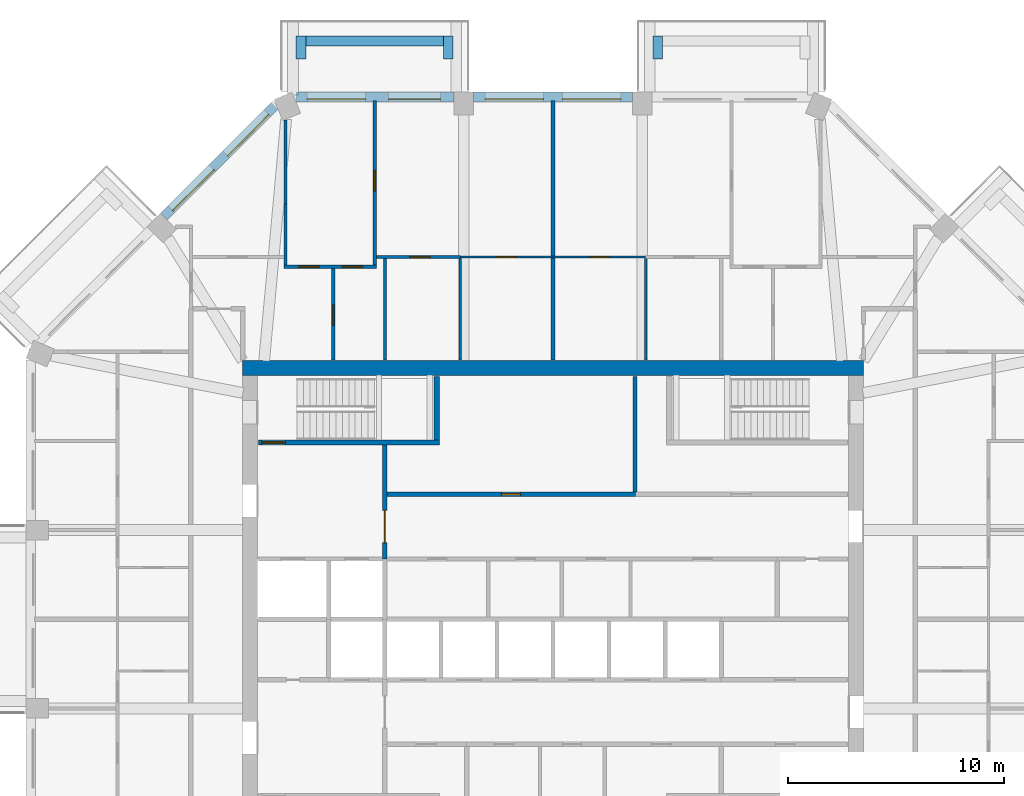
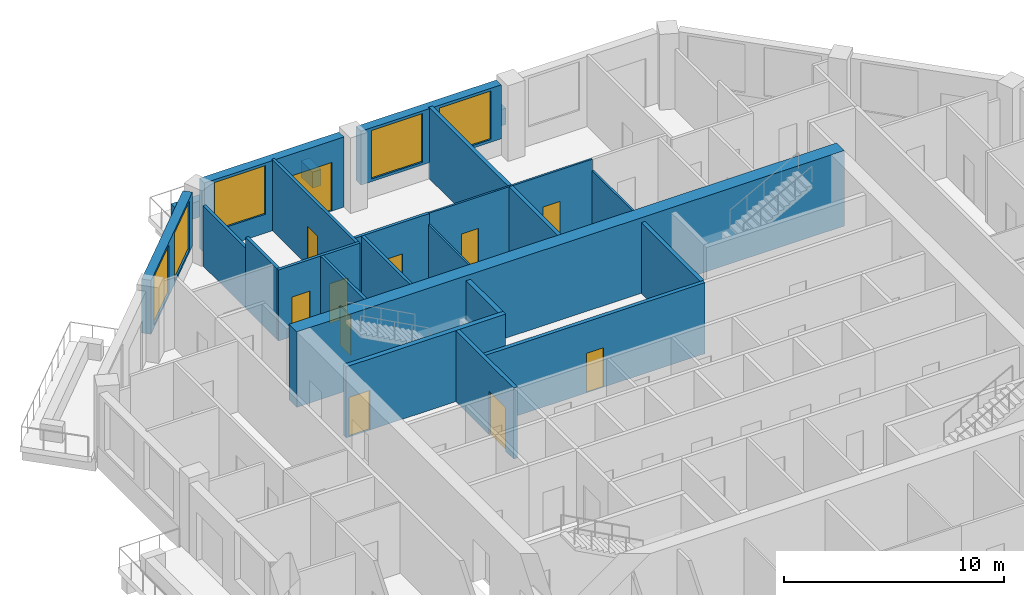
# One storey, part 8 of 12: 25 walls, 11 doors, 5 windows, 16 openings.
"""IFC4 building model written with IfcOpenShell, lengths in metres."""

from ifc_helpers import new_model, si_unit, direction, frame, frame_2d, origin, place, context, subcontext, project, spatial, rectangle, extrude, material, layer, layer_set, type_object, element, fill, save


model = new_model("IFC4")

# Units and contexts
model_context = context("Model", 3, precision=1e-05, world=origin(), true_north=direction((0.0, 1.0)))
body_context = subcontext(model_context, "Body", "Model", "MODEL_VIEW")
ifc_project = project(units=[si_unit("LENGTHUNIT", "METRE"), si_unit("AREAUNIT", "SQUARE_METRE"), si_unit("VOLUMEUNIT", "CUBIC_METRE"), si_unit("PLANEANGLEUNIT", "RADIAN"), si_unit("MASSUNIT", "GRAM", prefix="KILO")], contexts=[model_context])

# Site, building, storey
site_placement = place(None, origin())
site = spatial("IfcSite", under=ifc_project, at=site_placement, CompositionType="ELEMENT")
building_placement = place(site_placement, origin())
building = spatial("IfcBuilding", under=site, at=building_placement, Name="Msitu Wima Residences", CompositionType="ELEMENT")
storey_placement = place(building_placement, frame((0.0, 0.0, 174.89990234375)))
storey = spatial("IfcBuildingStorey", under=building, at=storey_placement, Name="L40", CompositionType="ELEMENT", Elevation=174.89990234375)

# Walls
ifc_material_1 = material(Name="Facing brick")
ifc_layer_1 = layer(ifc_material_1, 0.06494140625, Name="Facing brick")
ifc_material_2 = material(Name="Concrete C40/50", Category="concrete")
ifc_layer_2 = layer(ifc_material_2, 0.156005859375, Name="Concrete C40/50")
ifc_material_3 = material(Name="Waterproofing membrane")
ifc_layer_3 = layer(ifc_material_3, 0.00390625, Name="Waterproofing membrane")
ifc_material_4 = material(Name="Planting soil and planting")
ifc_layer_4 = layer(ifc_material_4, 0.22509765625, Name="Planting soil and planting")
ifc_layer_set_1 = layer_set([ifc_layer_1, ifc_layer_2, ifc_layer_3, ifc_layer_4], Name="Concrete C40/50")
wall_type_1 = type_object("IfcWallType", Name="Balcony planter PLANTER PL450", PredefinedType="USERDEFINED", material=ifc_layer_set_1)
wall_1_placement = place(storey_placement, frame((4.8623046875, 26.0, 0.0), z_axis=(0.0, 0.0, 1.0), x_axis=(0.0, 1.0, 0.0)))
element("IfcWall", 1, at=wall_1_placement, inside=storey, type_object=wall_type_1, Name="Balcony planter N0 L40", ObjectType="PLANTER", PredefinedType="USERDEFINED", context=body_context, shape_type="SweptSolid", body=[
    extrude(rectangle(XDim=1.050048828125, YDim=0.449951171875, at=frame_2d((0.52490234375, 0.0))), origin(), (0.0, 0.0, 1.0), 0.900146484375),
])
wall_2_placement = place(storey_placement, frame((-5.087158203125, 26.824951171875, 0.0), z_axis=(0.0, 0.0, 1.0), x_axis=(-1.0, 0.0, 0.0)))
element("IfcWall", 2, at=wall_2_placement, inside=storey, type_object=wall_type_1, Name="Balcony planter N2 L40", ObjectType="PLANTER", PredefinedType="USERDEFINED", context=body_context, shape_type="SweptSolid", body=[
    extrude(rectangle(XDim=6.37451171875, YDim=0.449951171875, at=frame_2d((3.187255859375, 0.0))), origin(), (0.0, 0.0, 1.0), 0.900146484375),
])
for number, where, z_axis, x_axis, name in (
    (3, (-4.8623046875, 26.0, 0.0), (0.0, 0.0, 1.0), (0.0, 1.0, 0.0), "Balcony planter N2 L40"),
    (4, (-11.686767578125, 26.0, 0.0), (0.0, 0.0, 1.0), (0.0, 1.0, 0.0), "Balcony planter N2 L40"),
):
    element("IfcWall", number, at=place(storey_placement, frame(where, z_axis=z_axis, x_axis=x_axis)), inside=storey, type_object=wall_type_1, Name=name, ObjectType="PLANTER", PredefinedType="USERDEFINED", context=body_context, shape_type="SweptSolid", body=[
        extrude(rectangle(XDim=1.050048828125, YDim=0.449951171875, at=frame_2d((0.52490234375, 0.0))), origin(), (0.0, 0.0, 1.0), 0.900146484375),
    ])

# Wall, openings, windows
ifc_material_5 = material(Name="Brick (red buff mix)", Category="masonry")
ifc_layer_5 = layer(ifc_material_5, 0.449951171875)
ifc_layer_set_2 = layer_set([ifc_layer_5], Name="Brick (red buff mix)")
wall_type_2 = type_object("IfcWallType", Name="Brick infill wall BW450", PredefinedType="SOLIDWALL", material=ifc_layer_set_2)
wall_3_placement = place(storey_placement, frame((3.687255859375, 24.22509765625, 0.900146484375), z_axis=(0.0, 0.0, 1.0), x_axis=(-1.0, 0.0, 0.0)))
wall_3 = element("IfcWall", 5, at=wall_3_placement, inside=storey, type_object=wall_type_2, Name="Brick infill wall L40 N1", PredefinedType="SOLIDWALL", context=body_context, shape_type="SweptSolid", body=[
    extrude(rectangle(XDim=7.37451171875, YDim=0.449951171875, at=frame_2d((3.687255859375, 0.0))), origin(), (0.0, 0.0, 1.0), 3.0),
])
opening_1_placement = place(wall_3_placement, frame((0.537353515625, 0.0, 0.14990234375)))
opening_1 = element("IfcOpeningElement", 6, at=opening_1_placement, cuts=wall_3, Name="Opening W40-42.007", PredefinedType="OPENING", context=body_context, shape_type="SweptSolid", body=[
    extrude(rectangle(XDim=2.699951171875, YDim=2.699951171875, at=frame_2d((1.35009765625, 1.35009765625))), frame((0.0, 0.23486328125, 0.0), z_axis=(0.0, -1.0, 0.0), x_axis=(1.0, 0.0, 0.0)), (0.0, 0.0, 1.0), 0.469970703125),
])
opening_2_placement = place(wall_3_placement, frame((4.13720703125, 0.0, 0.14990234375)))
opening_2 = element("IfcOpeningElement", 7, at=opening_2_placement, cuts=wall_3, Name="Opening W40-42.008", PredefinedType="OPENING", context=body_context, shape_type="SweptSolid", body=[
    extrude(rectangle(XDim=2.699951171875, YDim=2.699951171875, at=frame_2d((1.35009765625, 1.35009765625))), frame((0.0, 0.23486328125, 0.0), z_axis=(0.0, -1.0, 0.0), x_axis=(1.0, 0.0, 0.0)), (0.0, 0.0, 1.0), 0.469970703125),
])
ifc_material_6 = material(Name="Anodised aluminium, bronze finish, clear low-emissivity double glazing", Category="aluminium")
window_type = type_object("IfcWindowType", Name="Window W2700x2700", PartitioningType="DOUBLE_PANEL_VERTICAL", PredefinedType="WINDOW", material=ifc_material_6)
window_1_placement = place(opening_1_placement, origin())
window_1 = element("IfcWindow", 8, at=window_1_placement, inside=storey, type_object=window_type, Name="Window L40 N1.1", OverallHeight=2.699951171875, OverallWidth=2.699951171875, PartitioningType="SINGLE_PANEL", PredefinedType="WINDOW", context=body_context, shape_type="SweptSolid", body=[
    extrude(rectangle(XDim=2.699951171875, YDim=2.699951171875, at=frame_2d((1.35009765625, 1.35009765625))), frame((0.0, 0.135009765625, 0.0), z_axis=(0.0, -1.0, 0.0), x_axis=(1.0, 0.0, 0.0)), (0.0, 0.0, 1.0), 0.06005859375),
])
fill(opening_1, window_1)
window_2_placement = place(opening_2_placement, origin())
window_2 = element("IfcWindow", 9, at=window_2_placement, inside=storey, type_object=window_type, Name="Window L40 N1.2", OverallHeight=2.699951171875, OverallWidth=2.699951171875, PartitioningType="SINGLE_PANEL", PredefinedType="WINDOW", context=body_context, shape_type="SweptSolid", body=[
    extrude(rectangle(XDim=2.699951171875, YDim=2.699951171875, at=frame_2d((1.35009765625, 1.35009765625))), frame((0.0, 0.135009765625, 0.0), z_axis=(0.0, -1.0, 0.0), x_axis=(1.0, 0.0, 0.0)), (0.0, 0.0, 1.0), 0.06005859375),
])
fill(opening_2, window_2)

# Wall, openings, door, window
wall_4_placement = place(storey_placement, frame((-4.587158203125, 24.22509765625, 0.0), z_axis=(0.0, 0.0, 1.0), x_axis=(-1.0, 0.0, 0.0)))
wall_4 = element("IfcWall", 10, at=wall_4_placement, inside=storey, type_object=wall_type_2, Name="Brick infill wall L40 N2", PredefinedType="SOLIDWALL", context=body_context, shape_type="SweptSolid", body=[
    extrude(rectangle(XDim=7.337646484375, YDim=0.449951171875, at=frame_2d((3.6689453125, 0.0))), origin(), (0.0, 0.0, 1.0), 3.900146484375),
])
opening_3_placement = place(wall_4_placement, frame((0.63427734375, 0.0, 0.0)))
opening_3 = element("IfcOpeningElement", 11, at=opening_3_placement, cuts=wall_4, Name="Opening D40-42.003", PredefinedType="OPENING", context=body_context, shape_type="SweptSolid", body=[
    extrude(rectangle(XDim=2.39990234375, YDim=2.699951171875, at=frame_2d((1.199951171875, 1.35009765625))), frame((0.0, 0.23486328125, 0.0), z_axis=(0.0, -1.0, 0.0), x_axis=(1.0, 0.0, 0.0)), (0.0, 0.0, 1.0), 0.469970703125),
])
opening_4_placement = place(wall_4_placement, frame((4.11865234375, 0.0, 1.050048828125)))
opening_4 = element("IfcOpeningElement", 12, at=opening_4_placement, cuts=wall_4, Name="Opening W40-42.009", PredefinedType="OPENING", context=body_context, shape_type="SweptSolid", body=[
    extrude(rectangle(XDim=2.699951171875, YDim=2.699951171875, at=frame_2d((1.35009765625, 1.35009765625))), frame((0.0, 0.23486328125, 0.0), z_axis=(0.0, -1.0, 0.0), x_axis=(1.0, 0.0, 0.0)), (0.0, 0.0, 1.0), 0.469970703125),
])
door_type_1 = type_object("IfcDoorType", Name="Balcony door D2400x2700", OperationType="SLIDING_TO_LEFT", PredefinedType="DOOR", material=ifc_material_6)
door_1_placement = place(opening_3_placement, origin())
door_1 = element("IfcDoor", 13, at=door_1_placement, inside=storey, type_object=door_type_1, Name="Balcony door L40 N2", OperationType="SINGLE_SWING_LEFT", OverallHeight=2.699951171875, OverallWidth=2.39990234375, PredefinedType="DOOR", context=body_context, shape_type="SweptSolid", body=[
    extrude(rectangle(XDim=2.39990234375, YDim=2.699951171875, at=frame_2d((1.199951171875, 1.35009765625))), frame((0.0, 0.1298828125, 0.0), z_axis=(0.0, -1.0, 0.0), x_axis=(1.0, 0.0, 0.0)), (0.0, 0.0, 1.0), 0.050048828125),
])
fill(opening_3, door_1)
window_3_placement = place(opening_4_placement, origin())
window_3 = element("IfcWindow", 14, at=window_3_placement, inside=storey, type_object=window_type, Name="Window L40 N2.2", OverallHeight=2.699951171875, OverallWidth=2.699951171875, PartitioningType="SINGLE_PANEL", PredefinedType="WINDOW", context=body_context, shape_type="SweptSolid", body=[
    extrude(rectangle(XDim=2.699951171875, YDim=2.699951171875, at=frame_2d((1.35009765625, 1.35009765625))), frame((0.0, 0.135009765625, 0.0), z_axis=(0.0, -1.0, 0.0), x_axis=(1.0, 0.0, 0.0)), (0.0, 0.0, 1.0), 0.06005859375),
])
fill(opening_4, window_3)

# Wall, openings, windows
wall_5_placement = place(storey_placement, frame((-12.915283203125, 23.814697265625, 0.900146484375), z_axis=(0.0, 0.0, 1.0), x_axis=(-0.707106781187, -0.707106781187, 0.0)))
wall_5 = element("IfcWall", 15, at=wall_5_placement, inside=storey, type_object=wall_type_2, Name="Brick infill wall L40 NW0", PredefinedType="SOLIDWALL", context=body_context, shape_type="SweptSolid", body=[
    extrude(rectangle(XDim=7.257080078125, YDim=0.449951171875, at=frame_2d((3.62841796875, 0.0))), origin(), (0.0, 0.0, 1.0), 3.0),
])
opening_5_placement = place(wall_5_placement, frame((0.478515625, 0.0, 0.14990234375)))
opening_5 = element("IfcOpeningElement", 16, at=opening_5_placement, cuts=wall_5, Name="Opening W40-42.013", PredefinedType="OPENING", context=body_context, shape_type="SweptSolid", body=[
    extrude(rectangle(XDim=2.699951171875, YDim=2.699951171875, at=frame_2d((1.35009765625, 1.35009765625))), frame((0.0, 0.23486328125, 0.0), z_axis=(0.0, -1.0, 0.0), x_axis=(1.0, 0.0, 0.0)), (0.0, 0.0, 1.0), 0.469970703125),
])
opening_6_placement = place(wall_5_placement, frame((4.07861328125, 0.0, 0.14990234375)))
opening_6 = element("IfcOpeningElement", 17, at=opening_6_placement, cuts=wall_5, Name="Opening W40-42.014", PredefinedType="OPENING", context=body_context, shape_type="SweptSolid", body=[
    extrude(rectangle(XDim=2.699951171875, YDim=2.699951171875, at=frame_2d((1.35009765625, 1.35009765625))), frame((0.0, 0.23486328125, 0.0), z_axis=(0.0, -1.0, 0.0), x_axis=(1.0, 0.0, 0.0)), (0.0, 0.0, 1.0), 0.469970703125),
])
window_4_placement = place(opening_5_placement, origin())
window_4 = element("IfcWindow", 18, at=window_4_placement, inside=storey, type_object=window_type, Name="Window L40 NW0.1", OverallHeight=2.699951171875, OverallWidth=2.699951171875, PartitioningType="SINGLE_PANEL", PredefinedType="WINDOW", context=body_context, shape_type="SweptSolid", body=[
    extrude(rectangle(XDim=2.699951171875, YDim=2.699951171875, at=frame_2d((1.35009765625, 1.35009765625))), frame((0.0, 0.135009765625, 0.0), z_axis=(0.0, -1.0, 0.0), x_axis=(1.0, 0.0, 0.0)), (0.0, 0.0, 1.0), 0.06005859375),
])
fill(opening_5, window_4)
window_5_placement = place(opening_6_placement, origin())
window_5 = element("IfcWindow", 19, at=window_5_placement, inside=storey, type_object=window_type, Name="Window L40 NW0.2", OverallHeight=2.699951171875, OverallWidth=2.699951171875, PartitioningType="SINGLE_PANEL", PredefinedType="WINDOW", context=body_context, shape_type="SweptSolid", body=[
    extrude(rectangle(XDim=2.699951171875, YDim=2.699951171875, at=frame_2d((1.35009765625, 1.35009765625))), frame((0.0, 0.135009765625, 0.0), z_axis=(0.0, -1.0, 0.0), x_axis=(1.0, 0.0, 0.0)), (0.0, 0.0, 1.0), 0.06005859375),
])
fill(opening_6, window_5)

# Wall
ifc_material_7 = material(Name="Concrete C60/75", Category="concrete")
ifc_layer_6 = layer(ifc_material_7, 0.699951171875)
ifc_layer_set_3 = layer_set([ifc_layer_6], Name="Concrete C60/75")
wall_type_3 = type_object("IfcWallType", Name="Core wall CW700 C60/75", PredefinedType="SHEAR", material=ifc_layer_set_3)
wall_6_placement = place(storey_placement, frame((-14.39990234375, 11.64990234375, 0.0), z_axis=(0.0, 0.0, 1.0), x_axis=(1.0, 0.0, 0.0)))
element("IfcWall", 20, at=wall_6_placement, inside=storey, type_object=wall_type_3, Name="Core wall", PredefinedType="SHEAR", context=body_context, shape_type="SweptSolid", body=[
    extrude(rectangle(XDim=28.7998046875, YDim=0.699951171875, at=frame_2d((14.39990234375, 0.0))), origin(), (0.0, 0.0, 1.0), 4.2001953125),
])

# Wall, opening, door
ifc_material_8 = material(Name="Plaster")
ifc_layer_7 = layer(ifc_material_8, 0.011962890625, Name="Plaster")
ifc_material_9 = material(Name="Concrete blockwork", Category="masonry")
ifc_layer_8 = layer(ifc_material_9, 0.176025390625, Name="Concrete blockwork")
ifc_layer_9 = layer(ifc_material_8, 0.011962890625, Name="Plaster")
ifc_layer_set_4 = layer_set([ifc_layer_7, ifc_layer_8, ifc_layer_9], Name="Concrete blockwork")
wall_type_4 = type_object("IfcWallType", Name="Corridor wall FW200", PredefinedType="PARTITIONING", material=ifc_layer_set_4)
wall_7_placement = place(storey_placement, frame((-7.800048828125, 2.800048828125, 0.0), z_axis=(0.0, 0.0, 1.0), x_axis=(0.0, 1.0, 0.0)))
wall_7 = element("IfcWall", 21, at=wall_7_placement, inside=storey, type_object=wall_type_4, Name="Corridor wall", PredefinedType="PARTITIONING", context=body_context, shape_type="SweptSolid", body=[
    extrude(rectangle(XDim=5.27490234375, YDim=0.199951171875, at=frame_2d((2.637451171875, 0.0))), origin(), (0.0, 0.0, 1.0), 3.9501953125),
])
opening_7_placement = place(wall_7_placement, frame((0.75, 0.0, 0.0)))
opening_7 = element("IfcOpeningElement", 22, at=opening_7_placement, cuts=wall_7, Name="Opening D40-42.069", PredefinedType="OPENING", context=body_context, shape_type="SweptSolid", body=[
    extrude(rectangle(XDim=1.5, YDim=2.39990234375, at=frame_2d((0.75, 1.199951171875))), frame((0.0, 0.10986328125, 0.0), z_axis=(0.0, -1.0, 0.0), x_axis=(1.0, 0.0, 0.0)), (0.0, 0.0, 1.0), 0.219970703125),
])
ifc_material_10 = material(Name="Steel framed glazed door, fire resisting", Category="steel")
door_type_2 = type_object("IfcDoorType", Name="Lobby door D07 1500x2400", OperationType="DOUBLE_DOOR_SINGLE_SWING", PredefinedType="DOOR", material=ifc_material_10)
door_2_placement = place(opening_7_placement, origin())
door_2 = element("IfcDoor", 23, at=door_2_placement, inside=storey, type_object=door_type_2, Name="Lobby door", OperationType="DOUBLE_DOOR_SINGLE_SWING", OverallHeight=2.39990234375, OverallWidth=1.5, PredefinedType="DOOR", context=body_context, shape_type="SweptSolid", body=[
    extrude(rectangle(XDim=1.5, YDim=2.39990234375, at=frame_2d((0.75, 1.199951171875))), frame((0.0, 0.02490234375, 0.0), z_axis=(0.0, -1.0, 0.0), x_axis=(1.0, 0.0, 0.0)), (0.0, 0.0, 1.0), 0.050048828125),
])
fill(opening_7, door_2)

wall_8_placement = place(storey_placement, frame((-7.699951171875, 5.800048828125, 0.0), z_axis=(0.0, 0.0, 1.0), x_axis=(1.0, 0.0, 0.0)))
wall_8 = element("IfcWall", 24, at=wall_8_placement, inside=storey, type_object=wall_type_4, Name="Corridor wall", PredefinedType="PARTITIONING", context=body_context, shape_type="SweptSolid", body=[
    extrude(rectangle(XDim=11.52001953125, YDim=0.199951171875, at=frame_2d((5.760009765625, 0.0))), origin(), (0.0, 0.0, 1.0), 3.9501953125),
])
opening_8_placement = place(wall_8_placement, frame((5.300048828125, 0.0, 0.0)))
opening_8 = element("IfcOpeningElement", 25, at=opening_8_placement, cuts=wall_8, Name="Opening D40-42.072", PredefinedType="OPENING", context=body_context, shape_type="SweptSolid", body=[
    extrude(rectangle(XDim=0.89990234375, YDim=2.199951171875, at=frame_2d((0.449951171875, 1.10009765625))), frame((0.0, 0.10986328125, 0.0), z_axis=(0.0, -1.0, 0.0), x_axis=(1.0, 0.0, 0.0)), (0.0, 0.0, 1.0), 0.219970703125),
])
ifc_material_11 = material(Name="Timber flush door", Category="wood")
door_type_3 = type_object("IfcDoorType", Name="Service door D05 900x2200", OperationType="SINGLE_SWING_LEFT", PredefinedType="DOOR", material=ifc_material_11)
door_3_placement = place(opening_8_placement, origin())
door_3 = element("IfcDoor", 26, at=door_3_placement, inside=storey, type_object=door_type_3, Name="Service door", OperationType="SINGLE_SWING_LEFT", OverallHeight=2.199951171875, OverallWidth=0.89990234375, PredefinedType="DOOR", context=body_context, shape_type="SweptSolid", body=[
    extrude(rectangle(XDim=0.89990234375, YDim=2.199951171875, at=frame_2d((0.449951171875, 1.10009765625))), frame((0.0, 0.02490234375, 0.0), z_axis=(0.0, -1.0, 0.0), x_axis=(1.0, 0.0, 0.0)), (0.0, 0.0, 1.0), 0.050048828125),
])
fill(opening_8, door_3)

# Walls
ifc_layer_10 = layer(ifc_material_8, 0.011962890625, Name="Plaster")
ifc_layer_11 = layer(ifc_material_9, 0.1259765625, Name="Concrete blockwork")
ifc_layer_12 = layer(ifc_material_8, 0.011962890625, Name="Plaster")
ifc_layer_set_5 = layer_set([ifc_layer_10, ifc_layer_11, ifc_layer_12], Name="Concrete blockwork")
wall_type_5 = type_object("IfcWallType", Name="Partition PW150", PredefinedType="PARTITIONING", material=ifc_layer_set_5)
wall_9_placement = place(storey_placement, frame((-12.411865234375, 16.425048828125, 0.0), z_axis=(0.0, 0.0, 1.0), x_axis=(0.0, 1.0, 0.0)))
element("IfcWall", 27, at=wall_9_placement, inside=storey, type_object=wall_type_5, Name="Partition", PredefinedType="PARTITIONING", context=body_context, shape_type="SweptSolid", body=[
    extrude(rectangle(XDim=2.845458984375, YDim=0.14990234375, at=frame_2d((1.4228515625, 0.0))), origin(), (0.0, 0.0, 1.0), 3.9501953125),
])
wall_10_placement = place(storey_placement, frame((-12.411865234375, 19.2705078125, 0.0), z_axis=(0.0, 0.0, 1.0), x_axis=(0.0, 1.0, 0.0)))
element("IfcWall", 28, at=wall_10_placement, inside=storey, type_object=wall_type_5, Name="Partition", PredefinedType="PARTITIONING", context=body_context, shape_type="SweptSolid", body=[
    extrude(rectangle(XDim=3.8984375, YDim=0.14990234375, at=frame_2d((1.94921875, 0.0))), origin(), (0.0, 0.0, 1.0), 3.35009765625),
])

# Wall, openings, doors
wall_11_placement = place(storey_placement, frame((-12.48681640625, 16.35009765625, 0.0), z_axis=(0.0, 0.0, 1.0), x_axis=(1.0, 0.0, 0.0)))
wall_11 = element("IfcWall", 29, at=wall_11_placement, inside=storey, type_object=wall_type_5, Name="Partition", PredefinedType="PARTITIONING", context=body_context, shape_type="SweptSolid", body=[
    extrude(rectangle(XDim=4.287353515625, YDim=0.14990234375, at=frame_2d((2.1435546875, 0.0))), origin(), (0.0, 0.0, 1.0), 3.9501953125),
])
opening_9_placement = place(wall_11_placement, frame((0.699951171875, 0.0, 0.0)))
opening_9 = element("IfcOpeningElement", 30, at=opening_9_placement, cuts=wall_11, Name="Opening D40-42.031", PredefinedType="OPENING", context=body_context, shape_type="SweptSolid", body=[
    extrude(rectangle(XDim=0.949951171875, YDim=2.199951171875, at=frame_2d((0.47509765625, 1.10009765625))), frame((0.0, 0.0849609375, 0.0), z_axis=(0.0, -1.0, 0.0), x_axis=(1.0, 0.0, 0.0)), (0.0, 0.0, 1.0), 0.169921875),
])
opening_10_placement = place(wall_11_placement, frame((2.699951171875, 0.0, 0.0)))
opening_10 = element("IfcOpeningElement", 31, at=opening_10_placement, cuts=wall_11, Name="Opening D40-42.030", PredefinedType="OPENING", context=body_context, shape_type="SweptSolid", body=[
    extrude(rectangle(XDim=0.949951171875, YDim=2.199951171875, at=frame_2d((0.47509765625, 1.10009765625))), frame((0.0, 0.0849609375, 0.0), z_axis=(0.0, -1.0, 0.0), x_axis=(1.0, 0.0, 0.0)), (0.0, 0.0, 1.0), 0.169921875),
])
door_type_4 = type_object("IfcDoorType", Name="Room door D12 950x2200", OperationType="SINGLE_SWING_LEFT", PredefinedType="DOOR", material=ifc_material_11)
door_4_placement = place(opening_9_placement, origin())
door_4 = element("IfcDoor", 32, at=door_4_placement, inside=storey, type_object=door_type_4, Name="Room door", OperationType="SINGLE_SWING_LEFT", OverallHeight=2.199951171875, OverallWidth=0.949951171875, PredefinedType="DOOR", context=body_context, shape_type="SweptSolid", body=[
    extrude(rectangle(XDim=0.949951171875, YDim=2.199951171875, at=frame_2d((0.47509765625, 1.10009765625))), frame((0.0, 0.02490234375, 0.0), z_axis=(0.0, -1.0, 0.0), x_axis=(1.0, 0.0, 0.0)), (0.0, 0.0, 1.0), 0.050048828125),
])
fill(opening_9, door_4)
door_5_placement = place(opening_10_placement, origin())
door_5 = element("IfcDoor", 33, at=door_5_placement, inside=storey, type_object=door_type_4, Name="Room door", OperationType="SINGLE_SWING_RIGHT", OverallHeight=2.199951171875, OverallWidth=0.949951171875, PredefinedType="DOOR", context=body_context, shape_type="SweptSolid", body=[
    extrude(rectangle(XDim=0.949951171875, YDim=2.199951171875, at=frame_2d((0.47509765625, 1.10009765625))), frame((0.0, 0.02490234375, 0.0), z_axis=(0.0, -1.0, 0.0), x_axis=(1.0, 0.0, 0.0)), (0.0, 0.0, 1.0), 0.050048828125),
])
fill(opening_10, door_5)

# Wall, opening, door
wall_12_placement = place(storey_placement, frame((-10.199951171875, 12.030029296875, 0.0), z_axis=(0.0, 0.0, 1.0), x_axis=(0.0, 1.0, 0.0)))
wall_12 = element("IfcWall", 34, at=wall_12_placement, inside=storey, type_object=wall_type_5, Name="Partition", PredefinedType="PARTITIONING", context=body_context, shape_type="SweptSolid", body=[
    extrude(rectangle(XDim=4.244873046875, YDim=0.14990234375, at=frame_2d((2.12255859375, 0.0))), origin(), (0.0, 0.0, 1.0), 3.9501953125),
])
opening_11_placement = place(wall_12_placement, frame((1.60009765625, 0.0, 0.0)))
opening_11 = element("IfcOpeningElement", 35, at=opening_11_placement, cuts=wall_12, Name="Opening D40-42.026", PredefinedType="OPENING", context=body_context, shape_type="SweptSolid", body=[
    extrude(rectangle(XDim=0.949951171875, YDim=2.199951171875, at=frame_2d((0.47509765625, 1.10009765625))), frame((0.0, 0.0849609375, 0.0), z_axis=(0.0, -1.0, 0.0), x_axis=(1.0, 0.0, 0.0)), (0.0, 0.0, 1.0), 0.169921875),
])
door_6_placement = place(opening_11_placement, origin())
door_6 = element("IfcDoor", 36, at=door_6_placement, inside=storey, type_object=door_type_4, Name="Room door", OperationType="SINGLE_SWING_RIGHT", OverallHeight=2.199951171875, OverallWidth=0.949951171875, PredefinedType="DOOR", context=body_context, shape_type="SweptSolid", body=[
    extrude(rectangle(XDim=0.949951171875, YDim=2.199951171875, at=frame_2d((0.47509765625, 1.10009765625))), frame((0.0, 0.02490234375, 0.0), z_axis=(0.0, -1.0, 0.0), x_axis=(1.0, 0.0, 0.0)), (0.0, 0.0, 1.0), 0.050048828125),
])
fill(opening_11, door_6)

wall_13_placement = place(storey_placement, frame((-8.2744140625, 16.425048828125, 0.0), z_axis=(0.0, 0.0, 1.0), x_axis=(0.0, 1.0, 0.0)))
wall_13 = element("IfcWall", 37, at=wall_13_placement, inside=storey, type_object=wall_type_5, Name="Partition", PredefinedType="PARTITIONING", context=body_context, shape_type="SweptSolid", body=[
    extrude(rectangle(XDim=7.6298828125, YDim=0.14990234375, at=frame_2d((3.81494140625, 0.0))), origin(), (0.0, 0.0, 1.0), 3.9501953125),
])
opening_12_placement = place(wall_13_placement, frame((3.449951171875, 0.0, 0.0)))
opening_12 = element("IfcOpeningElement", 38, at=opening_12_placement, cuts=wall_13, Name="Opening D40-42.034", PredefinedType="OPENING", context=body_context, shape_type="SweptSolid", body=[
    extrude(rectangle(XDim=0.949951171875, YDim=2.199951171875, at=frame_2d((0.47509765625, 1.10009765625))), frame((0.0, 0.0849609375, 0.0), z_axis=(0.0, -1.0, 0.0), x_axis=(1.0, 0.0, 0.0)), (0.0, 0.0, 1.0), 0.169921875),
])
door_7_placement = place(opening_12_placement, origin())
door_7 = element("IfcDoor", 39, at=door_7_placement, inside=storey, type_object=door_type_4, Name="Room door", OperationType="SINGLE_SWING_LEFT", OverallHeight=2.199951171875, OverallWidth=0.949951171875, PredefinedType="DOOR", context=body_context, shape_type="SweptSolid", body=[
    extrude(rectangle(XDim=0.949951171875, YDim=2.199951171875, at=frame_2d((0.47509765625, 1.10009765625))), frame((0.0, 0.02490234375, 0.0), z_axis=(0.0, -1.0, 0.0), x_axis=(1.0, 0.0, 0.0)), (0.0, 0.0, 1.0), 0.050048828125),
])
fill(opening_12, door_7)

wall_14_placement = place(storey_placement, frame((-8.199462890625, 16.800048828125, 0.0), z_axis=(0.0, 0.0, 1.0), x_axis=(1.0, 0.0, 0.0)))
wall_14 = element("IfcWall", 40, at=wall_14_placement, inside=storey, type_object=wall_type_5, Name="Partition", PredefinedType="PARTITIONING", context=body_context, shape_type="SweptSolid", body=[
    extrude(rectangle(XDim=3.8994140625, YDim=0.14990234375, at=frame_2d((1.94970703125, 0.0))), origin(), (0.0, 0.0, 1.0), 3.9501953125),
])
opening_13_placement = place(wall_14_placement, frame((1.550048828125, 0.0, 0.0)))
opening_13 = element("IfcOpeningElement", 41, at=opening_13_placement, cuts=wall_14, Name="Opening D40-42.028", PredefinedType="OPENING", context=body_context, shape_type="SweptSolid", body=[
    extrude(rectangle(XDim=0.949951171875, YDim=2.199951171875, at=frame_2d((0.47509765625, 1.10009765625))), frame((0.0, 0.0849609375, 0.0), z_axis=(0.0, -1.0, 0.0), x_axis=(1.0, 0.0, 0.0)), (0.0, 0.0, 1.0), 0.169921875),
])
door_8_placement = place(opening_13_placement, origin())
door_8 = element("IfcDoor", 42, at=door_8_placement, inside=storey, type_object=door_type_4, Name="Room door", OperationType="SINGLE_SWING_LEFT", OverallHeight=2.199951171875, OverallWidth=0.949951171875, PredefinedType="DOOR", context=body_context, shape_type="SweptSolid", body=[
    extrude(rectangle(XDim=0.949951171875, YDim=2.199951171875, at=frame_2d((0.47509765625, 1.10009765625))), frame((0.0, 0.02490234375, 0.0), z_axis=(0.0, -1.0, 0.0), x_axis=(1.0, 0.0, 0.0)), (0.0, 0.0, 1.0), 0.050048828125),
])
fill(opening_13, door_8)

# Walls
wall_15_placement = place(storey_placement, frame((-7.800048828125, 12.030029296875, 0.0), z_axis=(0.0, 0.0, 1.0), x_axis=(0.0, 1.0, 0.0)))
element("IfcWall", 43, at=wall_15_placement, inside=storey, type_object=wall_type_5, Name="Partition", PredefinedType="PARTITIONING", context=body_context, shape_type="SweptSolid", body=[
    extrude(rectangle(XDim=4.695068359375, YDim=0.14990234375, at=frame_2d((2.34765625, 0.0))), origin(), (0.0, 0.0, 1.0), 3.9501953125),
])
ifc_layer_13 = layer(ifc_material_8, 0.011962890625, Name="Plaster")
ifc_material_12 = material(Name="Dense concrete blockwork", Category="masonry")
ifc_layer_14 = layer(ifc_material_12, 0.176025390625, Name="Dense concrete blockwork")
ifc_layer_15 = layer(ifc_material_8, 0.011962890625, Name="Plaster")
ifc_layer_set_6 = layer_set([ifc_layer_13, ifc_layer_14, ifc_layer_15], Name="Dense concrete blockwork")
wall_type_6 = type_object("IfcWallType", Name="Party wall PW200", PredefinedType="PARTITIONING", material=ifc_layer_set_6)
wall_16_placement = place(storey_placement, frame((0.0, 12.030029296875, 0.0), z_axis=(0.0, 0.0, 1.0), x_axis=(0.0, 1.0, 0.0)))
element("IfcWall", 44, at=wall_16_placement, inside=storey, type_object=wall_type_6, Name="Party wall", PredefinedType="PARTITIONING", context=body_context, shape_type="SweptSolid", body=[
    extrude(rectangle(XDim=12.02490234375, YDim=0.199951171875, at=frame_2d((6.012451171875, 0.0))), origin(), (0.0, 0.0, 1.0), 3.9501953125),
])
ifc_layer_16 = layer(ifc_material_8, 0.011962890625, Name="Plaster")
ifc_material_13 = material(Name="Reinforced concrete blockwork", Category="masonry")
ifc_layer_17 = layer(ifc_material_13, 0.176025390625, Name="Reinforced concrete blockwork")
ifc_layer_18 = layer(ifc_material_8, 0.011962890625, Name="Plaster")
ifc_layer_set_7 = layer_set([ifc_layer_16, ifc_layer_17, ifc_layer_18], Name="Reinforced concrete blockwork")
wall_type_7 = type_object("IfcWallType", Name="Plant and riser wall PL200", PredefinedType="PARTITIONING", material=ifc_layer_set_7)
wall_17_placement = place(storey_placement, frame((3.800048828125, 5.89990234375, 0.0), z_axis=(0.0, 0.0, 1.0), x_axis=(0.0, 1.0, 0.0)))
element("IfcWall", 45, at=wall_17_placement, inside=storey, type_object=wall_type_7, Name="Plant and riser wall", PredefinedType="PARTITIONING", context=body_context, shape_type="SweptSolid", body=[
    extrude(rectangle(XDim=5.3701171875, YDim=0.199951171875, at=frame_2d((2.68505859375, 0.0))), origin(), (0.0, 0.0, 1.0), 3.9501953125),
])

# Wall, opening, door
ifc_material_14 = material(Name="Concrete C50/60", Category="concrete")
ifc_layer_19 = layer(ifc_material_14, 0.25)
ifc_layer_set_8 = layer_set([ifc_layer_19], Name="Concrete C50/60")
wall_type_8 = type_object("IfcWallType", Name="Stair enclosure wall SW250", PredefinedType="SHEAR", material=ifc_layer_set_8)
wall_18_placement = place(storey_placement, frame((-13.669921875, 8.199951171875, 0.0), z_axis=(0.0, 0.0, 1.0), x_axis=(1.0, 0.0, 0.0)))
wall_18 = element("IfcWall", 46, at=wall_18_placement, inside=storey, type_object=wall_type_8, Name="Stair enclosure wall", PredefinedType="SHEAR", context=body_context, shape_type="SweptSolid", body=[
    extrude(rectangle(XDim=8.39501953125, YDim=0.25, at=frame_2d((4.197509765625, 0.0))), origin(), (0.0, 0.0, 1.0), 3.9501953125),
])
opening_14_placement = place(wall_18_placement, frame((0.14990234375, 0.0, 0.0)))
opening_14 = element("IfcOpeningElement", 47, at=opening_14_placement, cuts=wall_18, Name="Opening D40-42.088", PredefinedType="OPENING", context=body_context, shape_type="SweptSolid", body=[
    extrude(rectangle(XDim=1.10009765625, YDim=2.199951171875, at=frame_2d((0.550048828125, 1.10009765625))), frame((0.0, 0.135009765625, 0.0), z_axis=(0.0, -1.0, 0.0), x_axis=(1.0, 0.0, 0.0)), (0.0, 0.0, 1.0), 0.27001953125),
])
ifc_material_15 = material(Name="Steel door, fire resisting, panic bar", Category="steel")
door_type_5 = type_object("IfcDoorType", Name="Stair door D06 1100x2200", OperationType="SINGLE_SWING_LEFT", PredefinedType="DOOR", material=ifc_material_15)
door_9_placement = place(opening_14_placement, origin())
door_9 = element("IfcDoor", 48, at=door_9_placement, inside=storey, type_object=door_type_5, Name="Stair door", OperationType="SINGLE_SWING_LEFT", OverallHeight=2.199951171875, OverallWidth=1.10009765625, PredefinedType="DOOR", context=body_context, shape_type="SweptSolid", body=[
    extrude(rectangle(XDim=1.10009765625, YDim=2.199951171875, at=frame_2d((0.550048828125, 1.10009765625))), frame((0.0, 0.02490234375, 0.0), z_axis=(0.0, -1.0, 0.0), x_axis=(1.0, 0.0, 0.0)), (0.0, 0.0, 1.0), 0.050048828125),
])
fill(opening_14, door_9)

# Walls
wall_19_placement = place(storey_placement, frame((-5.39990234375, 8.324951171875, 0.0), z_axis=(0.0, 0.0, 1.0), x_axis=(0.0, 1.0, 0.0)))
element("IfcWall", 49, at=wall_19_placement, inside=storey, type_object=wall_type_8, Name="Stair enclosure wall", PredefinedType="SHEAR", context=body_context, shape_type="SweptSolid", body=[
    extrude(rectangle(XDim=2.945068359375, YDim=0.25, at=frame_2d((1.47265625, 0.0))), origin(), (0.0, 0.0, 1.0), 3.9501953125),
])
ifc_material_16 = material(Name="Ceramic tiles")
ifc_layer_20 = layer(ifc_material_16, 0.008056640625, Name="Ceramic tiles")
ifc_material_17 = material(Name="Moisture-resistant board")
ifc_layer_21 = layer(ifc_material_17, 0.012451171875, Name="Moisture-resistant board")
ifc_material_18 = material(Name="Light-gauge stud framing with mineral wool")
ifc_layer_22 = layer(ifc_material_18, 0.06689453125, Name="Light-gauge stud framing with mineral wool")
ifc_layer_23 = layer(ifc_material_17, 0.012451171875, Name="Moisture-resistant board")
ifc_layer_set_9 = layer_set([ifc_layer_20, ifc_layer_21, ifc_layer_22, ifc_layer_23], Name="Light-gauge stud framing with mineral wool")
wall_type_9 = type_object("IfcWallType", Name="Wet wall PW100", PredefinedType="PARTITIONING", material=ifc_layer_set_9)
wall_20_placement = place(storey_placement, frame((-4.300048828125, 12.030029296875, 0.0), z_axis=(0.0, 0.0, 1.0), x_axis=(0.0, 1.0, 0.0)))
element("IfcWall", 50, at=wall_20_placement, inside=storey, type_object=wall_type_9, Name="Wet wall", PredefinedType="PARTITIONING", context=body_context, shape_type="SweptSolid", body=[
    extrude(rectangle(XDim=4.695068359375, YDim=0.10009765625, at=frame_2d((2.34765625, 0.0))), origin(), (0.0, 0.0, 1.0), 3.35009765625),
])

# Wall, opening, door
wall_21_placement = place(storey_placement, frame((-4.300048828125, 16.800048828125, 0.0), z_axis=(0.0, 0.0, 1.0), x_axis=(1.0, 0.0, 0.0)))
wall_21 = element("IfcWall", 51, at=wall_21_placement, inside=storey, type_object=wall_type_9, Name="Wet wall", PredefinedType="PARTITIONING", context=body_context, shape_type="SweptSolid", body=[
    extrude(rectangle(XDim=4.300048828125, YDim=0.10009765625, at=frame_2d((2.14990234375, 0.0))), origin(), (0.0, 0.0, 1.0), 3.9501953125),
])
opening_15_placement = place(wall_21_placement, frame((1.699951171875, 0.0, 0.0)))
opening_15 = element("IfcOpeningElement", 52, at=opening_15_placement, cuts=wall_21, Name="Opening D40-42.027", PredefinedType="OPENING", context=body_context, shape_type="SweptSolid", body=[
    extrude(rectangle(XDim=0.89990234375, YDim=2.199951171875, at=frame_2d((0.449951171875, 1.10009765625))), frame((0.0, 0.06005859375, 0.0), z_axis=(0.0, -1.0, 0.0), x_axis=(1.0, 0.0, 0.0)), (0.0, 0.0, 1.0), 0.1201171875),
])
ifc_material_19 = material(Name="Timber flush door, moisture resistant", Category="wood")
door_type_6 = type_object("IfcDoorType", Name="Bathroom door D03 900x2200", OperationType="SINGLE_SWING_LEFT", PredefinedType="DOOR", material=ifc_material_19)
door_10_placement = place(opening_15_placement, origin())
door_10 = element("IfcDoor", 53, at=door_10_placement, inside=storey, type_object=door_type_6, Name="Bathroom door", OperationType="SINGLE_SWING_LEFT", OverallHeight=2.199951171875, OverallWidth=0.89990234375, PredefinedType="DOOR", context=body_context, shape_type="SweptSolid", body=[
    extrude(rectangle(XDim=0.89990234375, YDim=2.199951171875, at=frame_2d((0.449951171875, 1.10009765625))), frame((0.0, 0.02490234375, 0.0), z_axis=(0.0, -1.0, 0.0), x_axis=(1.0, 0.0, 0.0)), (0.0, 0.0, 1.0), 0.050048828125),
])
fill(opening_15, door_10)

wall_22_placement = place(storey_placement, frame((0.0, 16.800048828125, 0.0), z_axis=(0.0, 0.0, 1.0), x_axis=(1.0, 0.0, 0.0)))
wall_22 = element("IfcWall", 54, at=wall_22_placement, inside=storey, type_object=wall_type_9, Name="Wet wall", PredefinedType="PARTITIONING", context=body_context, shape_type="SweptSolid", body=[
    extrude(rectangle(XDim=4.300048828125, YDim=0.10009765625, at=frame_2d((2.14990234375, 0.0))), origin(), (0.0, 0.0, 1.0), 3.9501953125),
])
opening_16_placement = place(wall_22_placement, frame((1.699951171875, 0.0, 0.0)))
opening_16 = element("IfcOpeningElement", 55, at=opening_16_placement, cuts=wall_22, Name="Opening D40-42.013", PredefinedType="OPENING", context=body_context, shape_type="SweptSolid", body=[
    extrude(rectangle(XDim=0.89990234375, YDim=2.199951171875, at=frame_2d((0.449951171875, 1.10009765625))), frame((0.0, 0.06005859375, 0.0), z_axis=(0.0, -1.0, 0.0), x_axis=(1.0, 0.0, 0.0)), (0.0, 0.0, 1.0), 0.1201171875),
])
door_11_placement = place(opening_16_placement, origin())
door_11 = element("IfcDoor", 56, at=door_11_placement, inside=storey, type_object=door_type_6, Name="Bathroom door", OperationType="SINGLE_SWING_RIGHT", OverallHeight=2.199951171875, OverallWidth=0.89990234375, PredefinedType="DOOR", context=body_context, shape_type="SweptSolid", body=[
    extrude(rectangle(XDim=0.89990234375, YDim=2.199951171875, at=frame_2d((0.449951171875, 1.10009765625))), frame((0.0, 0.02490234375, 0.0), z_axis=(0.0, -1.0, 0.0), x_axis=(1.0, 0.0, 0.0)), (0.0, 0.0, 1.0), 0.050048828125),
])
fill(opening_16, door_11)

# Wall
wall_23_placement = place(storey_placement, frame((4.300048828125, 12.030029296875, 0.0), z_axis=(0.0, 0.0, 1.0), x_axis=(0.0, 1.0, 0.0)))
element("IfcWall", 57, at=wall_23_placement, inside=storey, type_object=wall_type_9, Name="Wet wall", PredefinedType="PARTITIONING", context=body_context, shape_type="SweptSolid", body=[
    extrude(rectangle(XDim=4.695068359375, YDim=0.10009765625, at=frame_2d((2.34765625, 0.0))), origin(), (0.0, 0.0, 1.0), 3.35009765625),
])

save(model, "model.ifc")
